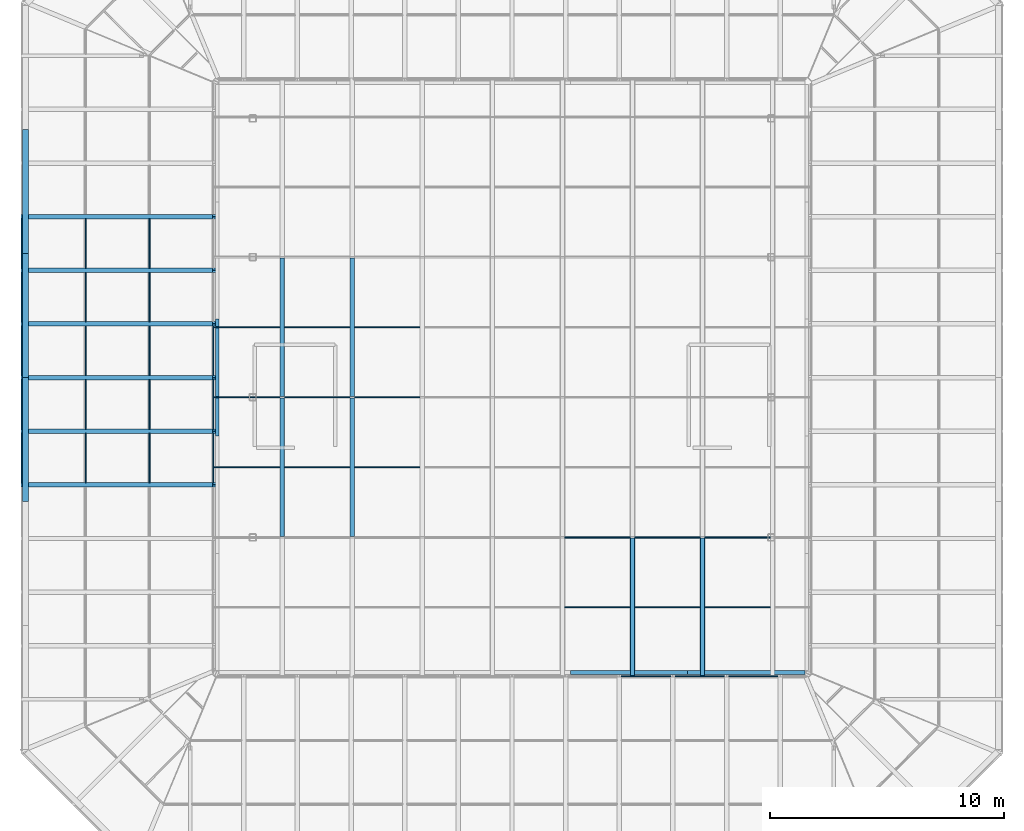
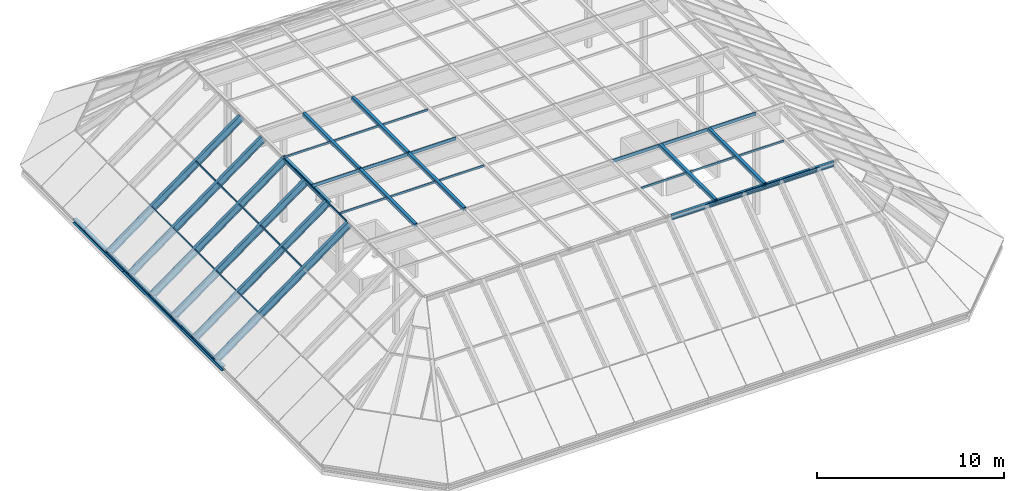
# One storey, part 4 of 15: 60 members, 3 elements without a shape of their own.
"""IFC4 building model written with IfcOpenShell, lengths in metres."""

from ifc_helpers import new_model, si_unit, direction, frame, origin, origin_2d, place, context, subcontext, project, spatial, rectangle, hollow_rectangle, i_section, extrude, material, constituent, constituent_set, material_profile, profile_set, type_object, element, aggregate, save


model = new_model("IFC4")

# Units and contexts
model_context = context("Model", 3, precision=1e-05, world=origin(), true_north=direction((0.0, 1.0)))
body_context = subcontext(model_context, "Body", "Model", "MODEL_VIEW")
ifc_project = project(units=[si_unit("LENGTHUNIT", "METRE"), si_unit("AREAUNIT", "SQUARE_METRE"), si_unit("VOLUMEUNIT", "CUBIC_METRE"), si_unit("PLANEANGLEUNIT", "RADIAN"), si_unit("MASSUNIT", "GRAM", prefix="KILO")], contexts=[model_context])

# Site, building, storey
site_placement = place(None, origin())
site = spatial("IfcSite", under=ifc_project, at=site_placement, CompositionType="ELEMENT")
building_placement = place(site_placement, origin())
building = spatial("IfcBuilding", under=site, at=building_placement, Name="Quoin Convention Tower", CompositionType="ELEMENT")
storey_placement = place(building_placement, frame((0.0, 0.0, 273.699951171875)))
storey = spatial("IfcBuildingStorey", under=building, at=storey_placement, Name="Roof", CompositionType="ELEMENT", Elevation=273.699951171875)

# Curtain wall, members
ifc_material_1 = material(Name="Aluminium", Category="aluminium")
ifc_constituent_1 = constituent(ifc_material_1, Name="Frame")
ifc_material_2 = material(Name="Insulated glass", Category="glass")
ifc_constituent_2 = constituent(ifc_material_2, Name="Glazing")
ifc_constituent_set = constituent_set(constituents=[ifc_constituent_1, ifc_constituent_2], Name="Aluminium")
curtain_wall_type = type_object("IfcCurtainWallType", Name="Lantern roof system", PredefinedType="NOTDEFINED", material=ifc_constituent_set)
curtain_wall_1_placement = place(storey_placement, origin())
curtain_wall_1 = element("IfcCurtainWall", 1, at=curtain_wall_1_placement, inside=storey, type_object=curtain_wall_type, Name="crn-LNR-CAP", PredefinedType="NOTDEFINED")
ifc_material_3 = material(Name="Steel C450L0", Category="steel")
ifc_material_profile_1 = material_profile(ifc_material_3, hollow_rectangle(XDim=0.199951171875, YDim=0.199951171875, WallThickness=0.010009765625, InnerFilletRadius=0.014892578125, OuterFilletRadius=0.02490234375, at=origin_2d()), Name="200x200x10.0SHS")
ifc_profile_set_1 = profile_set([ifc_material_profile_1], Name="Steel C450L0")
member_type_1 = type_object("IfcMemberType", Name="200x200x10.0SHS LANTERN CAP RAIL", PredefinedType="MULLION", material=ifc_profile_set_1)
member_1_placement = place(storey_placement, frame((46.409912109375, 53.93994140625, 6.495361328125), z_axis=(0.0, 1.0, 0.0), x_axis=(-1.0, 0.0, 0.0)))
member_1 = element("IfcMember", 2, at=member_1_placement, type_object=member_type_1, Name="CW6 cap rail", PredefinedType="MULLION", context=body_context, shape_type="SweptSolid", body=[
    extrude(hollow_rectangle(XDim=0.199951171875, YDim=0.199951171875, WallThickness=0.010009765625, InnerFilletRadius=0.014892578125, OuterFilletRadius=0.02490234375, at=origin_2d()), origin(), (0.0, 0.0, 1.0), 5.93994140625),
])
member_2_placement = place(storey_placement, frame((46.409912109375, 59.93994140625, 6.495361328125), z_axis=(0.0, 1.0, 0.0), x_axis=(-1.0, 0.0, 0.0)))
member_2 = element("IfcMember", 3, at=member_2_placement, type_object=member_type_1, Name="CW6 cap rail", PredefinedType="MULLION", context=body_context, shape_type="SweptSolid", body=[
    extrude(hollow_rectangle(XDim=0.199951171875, YDim=0.199951171875, WallThickness=0.010009765625, InnerFilletRadius=0.014892578125, OuterFilletRadius=0.02490234375, at=origin_2d()), origin(), (0.0, 0.0, 1.0), 5.93994140625),
])
member_3_placement = place(storey_placement, frame((49.409912109375, 53.93994140625, 6.495361328125), z_axis=(0.0, 1.0, 0.0), x_axis=(-1.0, 0.0, 0.0)))
member_3 = element("IfcMember", 4, at=member_3_placement, type_object=member_type_1, Name="CW6 cap rail", PredefinedType="MULLION", context=body_context, shape_type="SweptSolid", body=[
    extrude(hollow_rectangle(XDim=0.199951171875, YDim=0.199951171875, WallThickness=0.010009765625, InnerFilletRadius=0.014892578125, OuterFilletRadius=0.02490234375, at=origin_2d()), origin(), (0.0, 0.0, 1.0), 5.93994140625),
])
member_4_placement = place(storey_placement, frame((49.409912109375, 59.93994140625, 6.495361328125), z_axis=(0.0, 1.0, 0.0), x_axis=(-1.0, 0.0, 0.0)))
member_4 = element("IfcMember", 5, at=member_4_placement, type_object=member_type_1, Name="CW6 cap rail", PredefinedType="MULLION", context=body_context, shape_type="SweptSolid", body=[
    extrude(hollow_rectangle(XDim=0.199951171875, YDim=0.199951171875, WallThickness=0.010009765625, InnerFilletRadius=0.014892578125, OuterFilletRadius=0.02490234375, at=origin_2d()), origin(), (0.0, 0.0, 1.0), 5.93994140625),
])
member_5_placement = place(storey_placement, frame((61.409912109375, 47.926513671875, 6.495361328125), z_axis=(0.0, 1.0, 0.0), x_axis=(-1.0, 0.0, 0.0)))
member_5 = element("IfcMember", 6, at=member_5_placement, type_object=member_type_1, Name="CW6 cap rail", PredefinedType="MULLION", context=body_context, shape_type="SweptSolid", body=[
    extrude(hollow_rectangle(XDim=0.199951171875, YDim=0.199951171875, WallThickness=0.010009765625, InnerFilletRadius=0.014892578125, OuterFilletRadius=0.02490234375, at=origin_2d()), origin(), (0.0, 0.0, 1.0), 5.953369140625),
])
member_6_placement = place(storey_placement, frame((64.409912109375, 47.926513671875, 6.495361328125), z_axis=(0.0, 1.0, 0.0), x_axis=(-1.0, 0.0, 0.0)))
member_6 = element("IfcMember", 7, at=member_6_placement, type_object=member_type_1, Name="CW6 cap rail", PredefinedType="MULLION", context=body_context, shape_type="SweptSolid", body=[
    extrude(hollow_rectangle(XDim=0.199951171875, YDim=0.199951171875, WallThickness=0.010009765625, InnerFilletRadius=0.014892578125, OuterFilletRadius=0.02490234375, at=origin_2d()), origin(), (0.0, 0.0, 1.0), 5.953369140625),
])

# Members
ifc_material_4 = material(Name="Steel Grade 300", Category="steel")
ifc_material_profile_2 = material_profile(ifc_material_4, i_section(OverallWidth=0.256103515625, OverallDepth=0.260009765625, WebThickness=0.010498046875, FlangeThickness=0.017333984375, FilletRadius=0.013916015625, at=origin_2d()), Name="250UC89.5")
ifc_profile_set_2 = profile_set([ifc_material_profile_2], Name="Steel Grade 300")
member_type_2 = type_object("IfcMemberType", Name="250UC89.5 EAVES RING", PredefinedType="CHORD", material=ifc_profile_set_2)
for number, where, z_axis, x_axis, name in (
    (8, (35.427978515625, 71.37255859375, 0.130126953125), (0.0, -1.0, 0.0), (1.0, 0.0, 0.0), "LANTERN EAVES RING"),
    (9, (35.427978515625, 66.061279296875, 0.130126953125), (0.0, -1.0, 0.0), (1.0, 0.0, 0.0), "LANTERN EAVES RING"),
    (10, (35.427978515625, 60.75, 0.130126953125), (0.0, -1.0, 0.0), (1.0, 0.0, 0.0), "LANTERN EAVES RING"),
):
    element("IfcMember", number, at=place(storey_placement, frame(where, z_axis=z_axis, x_axis=x_axis)), inside=storey, type_object=member_type_2, Name=name, PredefinedType="CHORD", context=body_context, shape_type="SweptSolid", body=[
        extrude(i_section(OverallWidth=0.256103515625, OverallDepth=0.260009765625, WebThickness=0.010498046875, FlangeThickness=0.017333984375, FilletRadius=0.013916015625, at=origin_2d()), origin(), (0.0, 0.0, 1.0), 5.311279296875),
    ])
ifc_material_profile_3 = material_profile(ifc_material_4, i_section(OverallWidth=0.166015625, OverallDepth=0.306884765625, WebThickness=0.006591796875, FlangeThickness=0.01171875, FilletRadius=0.011474609375, at=origin_2d()), Name="310UB46.2")
ifc_profile_set_3 = profile_set([ifc_material_profile_3], Name="Steel Grade 300")
member_type_3 = type_object("IfcMemberType", Name="310UB46.2 COMPRESSION RING", PredefinedType="CHORD", material=ifc_profile_set_3)
member_7_placement = place(storey_placement, frame((43.626953125, 63.258056640625, 6.241943359375), z_axis=(0.0, -1.0, 0.0), x_axis=(1.0, 0.0, 0.0)))
element("IfcMember", 11, at=member_7_placement, inside=storey, type_object=member_type_3, Name="LANTERN COMPRESSION RING", PredefinedType="CHORD", context=body_context, shape_type="SweptSolid", body=[
    extrude(i_section(OverallWidth=0.166015625, OverallDepth=0.306884765625, WebThickness=0.006591796875, FlangeThickness=0.01171875, FilletRadius=0.011474609375, at=origin_2d()), origin(), (0.0, 0.0, 1.0), 5.01611328125),
])
member_8_placement = place(storey_placement, frame((58.758056640625, 48.126953125, 6.241943359375), z_axis=(1.0, 0.0, 0.0), x_axis=(0.0, 1.0, 0.0)))
element("IfcMember", 12, at=member_8_placement, inside=storey, type_object=member_type_3, Name="LANTERN COMPRESSION RING", PredefinedType="CHORD", context=body_context, shape_type="SweptSolid", body=[
    extrude(i_section(OverallWidth=0.166015625, OverallDepth=0.306884765625, WebThickness=0.006591796875, FlangeThickness=0.01171875, FilletRadius=0.011474609375, at=origin_2d()), origin(), (0.0, 0.0, 1.0), 5.015869140625),
])
member_9_placement = place(storey_placement, frame((63.77392578125, 48.126953125, 6.241943359375), z_axis=(1.0, 0.0, 0.0), x_axis=(0.0, 1.0, 0.0)))
element("IfcMember", 13, at=member_9_placement, inside=storey, type_object=member_type_3, Name="LANTERN COMPRESSION RING", PredefinedType="CHORD", context=body_context, shape_type="SweptSolid", body=[
    extrude(i_section(OverallWidth=0.166015625, OverallDepth=0.306884765625, WebThickness=0.006591796875, FlangeThickness=0.01171875, FilletRadius=0.011474609375, at=origin_2d()), origin(), (0.0, 0.0, 1.0), 5.01611328125),
])

# Curtain wall, members
curtain_wall_2_placement = place(storey_placement, origin())
curtain_wall_2 = element("IfcCurtainWall", 14, at=curtain_wall_2_placement, inside=storey, type_object=curtain_wall_type, Name="crn-LNR-F35210_76827", PredefinedType="NOTDEFINED")
ifc_material_profile_4 = material_profile(ifc_material_4, i_section(OverallWidth=0.18994140625, OverallDepth=0.4541015625, WebThickness=0.008544921875, FlangeThickness=0.0126953125, FilletRadius=0.011474609375, at=origin_2d()), Name="460UB67.1")
ifc_profile_set_4 = profile_set([ifc_material_profile_4], Name="Steel Grade 300")
member_type_4 = type_object("IfcMemberType", Name="460UB67.1 LANTERN RAFTER", PredefinedType="MULLION", material=ifc_profile_set_4)
member_10_placement = place(storey_placement, frame((35.360595703125, 67.64013671875, 0.26953125), z_axis=(0.807028649932, 0.0, 0.590512284537), x_axis=(0.0, 1.0, 0.0)))
member_10 = element("IfcMember", 15, at=member_10_placement, type_object=member_type_4, Name="CW6 steel rafter", PredefinedType="MULLION", context=body_context, shape_type="SweptSolid", body=[
    extrude(i_section(OverallWidth=0.18994140625, OverallDepth=0.4541015625, WebThickness=0.008544921875, FlangeThickness=0.0126953125, FilletRadius=0.011474609375, at=origin_2d()), origin(), (0.0, 0.0, 1.0), 10.16064453125),
])
member_11_placement = place(storey_placement, frame((35.360595703125, 65.343505859375, 0.26953125), z_axis=(0.807028649932, 0.0, 0.590512284537), x_axis=(0.0, 1.0, 0.0)))
member_11 = element("IfcMember", 16, at=member_11_placement, type_object=member_type_4, Name="CW6 steel rafter", PredefinedType="MULLION", context=body_context, shape_type="SweptSolid", body=[
    extrude(i_section(OverallWidth=0.18994140625, OverallDepth=0.4541015625, WebThickness=0.008544921875, FlangeThickness=0.0126953125, FilletRadius=0.011474609375, at=origin_2d()), origin(), (0.0, 0.0, 1.0), 10.16064453125),
])
member_12_placement = place(storey_placement, frame((35.360595703125, 63.046630859375, 0.26953125), z_axis=(0.807028649932, 0.0, 0.590512284537), x_axis=(0.0, 1.0, 0.0)))
member_12 = element("IfcMember", 17, at=member_12_placement, type_object=member_type_4, Name="CW6 steel rafter", PredefinedType="MULLION", context=body_context, shape_type="SweptSolid", body=[
    extrude(i_section(OverallWidth=0.18994140625, OverallDepth=0.4541015625, WebThickness=0.008544921875, FlangeThickness=0.0126953125, FilletRadius=0.011474609375, at=origin_2d()), origin(), (0.0, 0.0, 1.0), 10.16064453125),
])
member_13_placement = place(storey_placement, frame((35.360595703125, 60.75, 0.26953125), z_axis=(0.807028649932, 0.0, 0.590512284537), x_axis=(0.0, 1.0, 0.0)))
member_13 = element("IfcMember", 18, at=member_13_placement, type_object=member_type_4, Name="CW6 steel rafter", PredefinedType="MULLION", context=body_context, shape_type="SweptSolid", body=[
    extrude(i_section(OverallWidth=0.18994140625, OverallDepth=0.4541015625, WebThickness=0.008544921875, FlangeThickness=0.0126953125, FilletRadius=0.011474609375, at=origin_2d()), origin(), (0.0, 0.0, 1.0), 10.16064453125),
])
member_14_placement = place(storey_placement, frame((35.360595703125, 58.453369140625, 0.26953125), z_axis=(0.807028649932, 0.0, 0.590512284537), x_axis=(0.0, 1.0, 0.0)))
member_14 = element("IfcMember", 19, at=member_14_placement, type_object=member_type_4, Name="CW6 steel rafter", PredefinedType="MULLION", context=body_context, shape_type="SweptSolid", body=[
    extrude(i_section(OverallWidth=0.18994140625, OverallDepth=0.4541015625, WebThickness=0.008544921875, FlangeThickness=0.0126953125, FilletRadius=0.011474609375, at=origin_2d()), origin(), (0.0, 0.0, 1.0), 10.16064453125),
])
member_15_placement = place(storey_placement, frame((35.360595703125, 56.156494140625, 0.26953125), z_axis=(0.807028649932, 0.0, 0.590512284537), x_axis=(0.0, 1.0, 0.0)))
member_15 = element("IfcMember", 20, at=member_15_placement, type_object=member_type_4, Name="CW6 steel rafter", PredefinedType="MULLION", context=body_context, shape_type="SweptSolid", body=[
    extrude(i_section(OverallWidth=0.18994140625, OverallDepth=0.4541015625, WebThickness=0.008544921875, FlangeThickness=0.0126953125, FilletRadius=0.011474609375, at=origin_2d()), origin(), (0.0, 0.0, 1.0), 10.16064453125),
])

# Member
ifc_material_profile_5 = material_profile(ifc_material_1, rectangle(XDim=0.028076171875, YDim=0.179931640625, at=origin_2d()), Name="Lantern roof cap cover bar 180x28")
ifc_profile_set_5 = profile_set([ifc_material_profile_5], Name="Aluminium")
member_type_5 = type_object("IfcMemberType", Name="Lantern roof cap cover bar 180x28", PredefinedType="USERDEFINED", material=ifc_profile_set_5)
member_16_placement = place(storey_placement, frame((46.409912109375, 53.93994140625, 6.609375), z_axis=(0.0, 1.0, 0.0), x_axis=(0.0, 0.0, 1.0)))
member_16 = element("IfcMember", 21, at=member_16_placement, type_object=member_type_5, Name="CW6 cap cover bar", ObjectType="CAP COVER", PredefinedType="USERDEFINED", context=body_context, shape_type="SweptSolid", body=[
    extrude(rectangle(XDim=0.028076171875, YDim=0.179931640625, at=origin_2d()), origin(), (0.0, 0.0, 1.0), 5.93994140625),
])

member_17_placement = place(storey_placement, frame((46.409912109375, 59.93994140625, 6.609375), z_axis=(0.0, 1.0, 0.0), x_axis=(0.0, 0.0, 1.0)))
member_17 = element("IfcMember", 22, at=member_17_placement, type_object=member_type_5, Name="CW6 cap cover bar", ObjectType="CAP COVER", PredefinedType="USERDEFINED", context=body_context, shape_type="SweptSolid", body=[
    extrude(rectangle(XDim=0.028076171875, YDim=0.179931640625, at=origin_2d()), origin(), (0.0, 0.0, 1.0), 5.93994140625),
])

member_18_placement = place(storey_placement, frame((49.409912109375, 53.93994140625, 6.609375), z_axis=(0.0, 1.0, 0.0), x_axis=(0.0, 0.0, 1.0)))
member_18 = element("IfcMember", 23, at=member_18_placement, type_object=member_type_5, Name="CW6 cap cover bar", ObjectType="CAP COVER", PredefinedType="USERDEFINED", context=body_context, shape_type="SweptSolid", body=[
    extrude(rectangle(XDim=0.028076171875, YDim=0.179931640625, at=origin_2d()), origin(), (0.0, 0.0, 1.0), 5.93994140625),
])

member_19_placement = place(storey_placement, frame((49.409912109375, 59.93994140625, 6.609375), z_axis=(0.0, 1.0, 0.0), x_axis=(0.0, 0.0, 1.0)))
member_19 = element("IfcMember", 24, at=member_19_placement, type_object=member_type_5, Name="CW6 cap cover bar", ObjectType="CAP COVER", PredefinedType="USERDEFINED", context=body_context, shape_type="SweptSolid", body=[
    extrude(rectangle(XDim=0.028076171875, YDim=0.179931640625, at=origin_2d()), origin(), (0.0, 0.0, 1.0), 5.93994140625),
])

member_20_placement = place(storey_placement, frame((61.409912109375, 47.926513671875, 6.609375), z_axis=(0.0, 1.0, 0.0), x_axis=(0.0, 0.0, 1.0)))
member_20 = element("IfcMember", 25, at=member_20_placement, type_object=member_type_5, Name="CW6 cap cover bar", ObjectType="CAP COVER", PredefinedType="USERDEFINED", context=body_context, shape_type="SweptSolid", body=[
    extrude(rectangle(XDim=0.028076171875, YDim=0.179931640625, at=origin_2d()), origin(), (0.0, 0.0, 1.0), 5.953369140625),
])

member_21_placement = place(storey_placement, frame((64.409912109375, 47.926513671875, 6.609375), z_axis=(0.0, 1.0, 0.0), x_axis=(0.0, 0.0, 1.0)))
member_21 = element("IfcMember", 26, at=member_21_placement, type_object=member_type_5, Name="CW6 cap cover bar", ObjectType="CAP COVER", PredefinedType="USERDEFINED", context=body_context, shape_type="SweptSolid", body=[
    extrude(rectangle(XDim=0.028076171875, YDim=0.179931640625, at=origin_2d()), origin(), (0.0, 0.0, 1.0), 5.953369140625),
])

ifc_material_profile_6 = material_profile(ifc_material_1, rectangle(XDim=0.199951171875, YDim=0.06005859375, at=origin_2d()), Name="Lantern roof mullion 60x200")
ifc_profile_set_6 = profile_set([ifc_material_profile_6], Name="Aluminium")
member_type_6 = type_object("IfcMemberType", Name="Lantern roof mullion 60x200", PredefinedType="MULLION", material=ifc_profile_set_6)
member_22_placement = place(storey_placement, frame((58.510009765625, 53.909912109375, 6.495361328125), z_axis=(1.0, 0.0, 0.0), x_axis=(0.0, 0.0, 1.0)))
member_22 = element("IfcMember", 27, at=member_22_placement, type_object=member_type_6, Name="CW6 cap beam", PredefinedType="MULLION", context=body_context, shape_type="SweptSolid", body=[
    extrude(rectangle(XDim=0.199951171875, YDim=0.06005859375, at=origin_2d()), origin(), (0.0, 0.0, 1.0), 2.800048828125),
])

member_23_placement = place(storey_placement, frame((61.510009765625, 53.909912109375, 6.495361328125), z_axis=(1.0, 0.0, 0.0), x_axis=(0.0, 0.0, 1.0)))
member_23 = element("IfcMember", 28, at=member_23_placement, type_object=member_type_6, Name="CW6 cap beam", PredefinedType="MULLION", context=body_context, shape_type="SweptSolid", body=[
    extrude(rectangle(XDim=0.199951171875, YDim=0.06005859375, at=origin_2d()), origin(), (0.0, 0.0, 1.0), 2.800048828125),
])

member_24_placement = place(storey_placement, frame((64.510009765625, 53.909912109375, 6.495361328125), z_axis=(1.0, 0.0, 0.0), x_axis=(0.0, 0.0, 1.0)))
member_24 = element("IfcMember", 29, at=member_24_placement, type_object=member_type_6, Name="CW6 cap beam", PredefinedType="MULLION", context=body_context, shape_type="SweptSolid", body=[
    extrude(rectangle(XDim=0.199951171875, YDim=0.06005859375, at=origin_2d()), origin(), (0.0, 0.0, 1.0), 2.800048828125),
])

member_25_placement = place(storey_placement, frame((43.426513671875, 59.909912109375, 6.495361328125), z_axis=(1.0, 0.0, 0.0), x_axis=(0.0, 0.0, 1.0)))
member_25 = element("IfcMember", 30, at=member_25_placement, type_object=member_type_6, Name="CW6 cap beam", PredefinedType="MULLION", context=body_context, shape_type="SweptSolid", body=[
    extrude(rectangle(XDim=0.199951171875, YDim=0.06005859375, at=origin_2d()), origin(), (0.0, 0.0, 1.0), 2.883544921875),
])

member_26_placement = place(storey_placement, frame((46.510009765625, 59.909912109375, 6.495361328125), z_axis=(1.0, 0.0, 0.0), x_axis=(0.0, 0.0, 1.0)))
member_26 = element("IfcMember", 31, at=member_26_placement, type_object=member_type_6, Name="CW6 cap beam", PredefinedType="MULLION", context=body_context, shape_type="SweptSolid", body=[
    extrude(rectangle(XDim=0.199951171875, YDim=0.06005859375, at=origin_2d()), origin(), (0.0, 0.0, 1.0), 2.800048828125),
])

member_27_placement = place(storey_placement, frame((49.510009765625, 59.909912109375, 6.495361328125), z_axis=(1.0, 0.0, 0.0), x_axis=(0.0, 0.0, 1.0)))
member_27 = element("IfcMember", 32, at=member_27_placement, type_object=member_type_6, Name="CW6 cap beam", PredefinedType="MULLION", context=body_context, shape_type="SweptSolid", body=[
    extrude(rectangle(XDim=0.199951171875, YDim=0.06005859375, at=origin_2d()), origin(), (0.0, 0.0, 1.0), 2.800048828125),
])

ifc_material_profile_7 = material_profile(ifc_material_1, rectangle(XDim=0.1201171875, YDim=0.050048828125, at=origin_2d()), Name="Lantern roof transom 50x120")
ifc_profile_set_7 = profile_set([ifc_material_profile_7], Name="Aluminium")
member_type_7 = type_object("IfcMemberType", Name="Lantern roof transom 50x120", PredefinedType="USERDEFINED", material=ifc_profile_set_7)
member_28_placement = place(storey_placement, frame((35.261962890625, 67.545166015625, 0.404541015625), z_axis=(0.0, -1.0, 0.0), x_axis=(0.0, 0.0, 1.0)))
member_28 = element("IfcMember", 33, at=member_28_placement, type_object=member_type_7, Name="CW6 transom", ObjectType="TRANSOM", PredefinedType="USERDEFINED", context=body_context, shape_type="SweptSolid", body=[
    extrude(rectangle(XDim=0.1201171875, YDim=0.050048828125, at=origin_2d()), origin(), (0.0, 0.0, 1.0), 2.106689453125),
])

member_29_placement = place(storey_placement, frame((35.261962890625, 65.24853515625, 0.404541015625), z_axis=(0.0, -1.0, 0.0), x_axis=(0.0, 0.0, 1.0)))
member_29 = element("IfcMember", 34, at=member_29_placement, type_object=member_type_7, Name="CW6 transom", ObjectType="TRANSOM", PredefinedType="USERDEFINED", context=body_context, shape_type="SweptSolid", body=[
    extrude(rectangle(XDim=0.1201171875, YDim=0.050048828125, at=origin_2d()), origin(), (0.0, 0.0, 1.0), 2.10693359375),
])

member_30_placement = place(storey_placement, frame((35.261962890625, 62.95166015625, 0.404541015625), z_axis=(0.0, -1.0, 0.0), x_axis=(0.0, 0.0, 1.0)))
member_30 = element("IfcMember", 35, at=member_30_placement, type_object=member_type_7, Name="CW6 transom", ObjectType="TRANSOM", PredefinedType="USERDEFINED", context=body_context, shape_type="SweptSolid", body=[
    extrude(rectangle(XDim=0.1201171875, YDim=0.050048828125, at=origin_2d()), origin(), (0.0, 0.0, 1.0), 2.106689453125),
])

member_31_placement = place(storey_placement, frame((35.261962890625, 60.655029296875, 0.404541015625), z_axis=(0.0, -1.0, 0.0), x_axis=(0.0, 0.0, 1.0)))
member_31 = element("IfcMember", 36, at=member_31_placement, type_object=member_type_7, Name="CW6 transom", ObjectType="TRANSOM", PredefinedType="USERDEFINED", context=body_context, shape_type="SweptSolid", body=[
    extrude(rectangle(XDim=0.1201171875, YDim=0.050048828125, at=origin_2d()), origin(), (0.0, 0.0, 1.0), 2.106689453125),
])

member_32_placement = place(storey_placement, frame((35.261962890625, 58.3583984375, 0.404541015625), z_axis=(0.0, -1.0, 0.0), x_axis=(0.0, 0.0, 1.0)))
member_32 = element("IfcMember", 37, at=member_32_placement, type_object=member_type_7, Name="CW6 transom", ObjectType="TRANSOM", PredefinedType="USERDEFINED", context=body_context, shape_type="SweptSolid", body=[
    extrude(rectangle(XDim=0.1201171875, YDim=0.050048828125, at=origin_2d()), origin(), (0.0, 0.0, 1.0), 2.10693359375),
])

member_33_placement = place(storey_placement, frame((37.995361328125, 67.545166015625, 2.404541015625), z_axis=(0.0, -1.0, 0.0), x_axis=(0.0, 0.0, 1.0)))
member_33 = element("IfcMember", 38, at=member_33_placement, type_object=member_type_7, Name="CW6 transom", ObjectType="TRANSOM", PredefinedType="USERDEFINED", context=body_context, shape_type="SweptSolid", body=[
    extrude(rectangle(XDim=0.1201171875, YDim=0.050048828125, at=origin_2d()), origin(), (0.0, 0.0, 1.0), 2.106689453125),
])

member_34_placement = place(storey_placement, frame((37.995361328125, 65.24853515625, 2.404541015625), z_axis=(0.0, -1.0, 0.0), x_axis=(0.0, 0.0, 1.0)))
member_34 = element("IfcMember", 39, at=member_34_placement, type_object=member_type_7, Name="CW6 transom", ObjectType="TRANSOM", PredefinedType="USERDEFINED", context=body_context, shape_type="SweptSolid", body=[
    extrude(rectangle(XDim=0.1201171875, YDim=0.050048828125, at=origin_2d()), origin(), (0.0, 0.0, 1.0), 2.10693359375),
])

member_35_placement = place(storey_placement, frame((37.995361328125, 62.95166015625, 2.404541015625), z_axis=(0.0, -1.0, 0.0), x_axis=(0.0, 0.0, 1.0)))
member_35 = element("IfcMember", 40, at=member_35_placement, type_object=member_type_7, Name="CW6 transom", ObjectType="TRANSOM", PredefinedType="USERDEFINED", context=body_context, shape_type="SweptSolid", body=[
    extrude(rectangle(XDim=0.1201171875, YDim=0.050048828125, at=origin_2d()), origin(), (0.0, 0.0, 1.0), 2.106689453125),
])

member_36_placement = place(storey_placement, frame((37.995361328125, 60.655029296875, 2.404541015625), z_axis=(0.0, -1.0, 0.0), x_axis=(0.0, 0.0, 1.0)))
member_36 = element("IfcMember", 41, at=member_36_placement, type_object=member_type_7, Name="CW6 transom", ObjectType="TRANSOM", PredefinedType="USERDEFINED", context=body_context, shape_type="SweptSolid", body=[
    extrude(rectangle(XDim=0.1201171875, YDim=0.050048828125, at=origin_2d()), origin(), (0.0, 0.0, 1.0), 2.106689453125),
])

member_37_placement = place(storey_placement, frame((37.995361328125, 58.3583984375, 2.404541015625), z_axis=(0.0, -1.0, 0.0), x_axis=(0.0, 0.0, 1.0)))
member_37 = element("IfcMember", 42, at=member_37_placement, type_object=member_type_7, Name="CW6 transom", ObjectType="TRANSOM", PredefinedType="USERDEFINED", context=body_context, shape_type="SweptSolid", body=[
    extrude(rectangle(XDim=0.1201171875, YDim=0.050048828125, at=origin_2d()), origin(), (0.0, 0.0, 1.0), 2.10693359375),
])

member_38_placement = place(storey_placement, frame((40.728515625, 67.545166015625, 4.404541015625), z_axis=(0.0, -1.0, 0.0), x_axis=(0.0, 0.0, 1.0)))
member_38 = element("IfcMember", 43, at=member_38_placement, type_object=member_type_7, Name="CW6 transom", ObjectType="TRANSOM", PredefinedType="USERDEFINED", context=body_context, shape_type="SweptSolid", body=[
    extrude(rectangle(XDim=0.1201171875, YDim=0.050048828125, at=origin_2d()), origin(), (0.0, 0.0, 1.0), 2.106689453125),
])

member_39_placement = place(storey_placement, frame((40.728515625, 65.24853515625, 4.404541015625), z_axis=(0.0, -1.0, 0.0), x_axis=(0.0, 0.0, 1.0)))
member_39 = element("IfcMember", 44, at=member_39_placement, type_object=member_type_7, Name="CW6 transom", ObjectType="TRANSOM", PredefinedType="USERDEFINED", context=body_context, shape_type="SweptSolid", body=[
    extrude(rectangle(XDim=0.1201171875, YDim=0.050048828125, at=origin_2d()), origin(), (0.0, 0.0, 1.0), 2.10693359375),
])

member_40_placement = place(storey_placement, frame((40.728515625, 62.95166015625, 4.404541015625), z_axis=(0.0, -1.0, 0.0), x_axis=(0.0, 0.0, 1.0)))
member_40 = element("IfcMember", 45, at=member_40_placement, type_object=member_type_7, Name="CW6 transom", ObjectType="TRANSOM", PredefinedType="USERDEFINED", context=body_context, shape_type="SweptSolid", body=[
    extrude(rectangle(XDim=0.1201171875, YDim=0.050048828125, at=origin_2d()), origin(), (0.0, 0.0, 1.0), 2.106689453125),
])

member_41_placement = place(storey_placement, frame((40.728515625, 60.655029296875, 4.404541015625), z_axis=(0.0, -1.0, 0.0), x_axis=(0.0, 0.0, 1.0)))
member_41 = element("IfcMember", 46, at=member_41_placement, type_object=member_type_7, Name="CW6 transom", ObjectType="TRANSOM", PredefinedType="USERDEFINED", context=body_context, shape_type="SweptSolid", body=[
    extrude(rectangle(XDim=0.1201171875, YDim=0.050048828125, at=origin_2d()), origin(), (0.0, 0.0, 1.0), 2.106689453125),
])

member_42_placement = place(storey_placement, frame((40.728515625, 58.3583984375, 4.404541015625), z_axis=(0.0, -1.0, 0.0), x_axis=(0.0, 0.0, 1.0)))
member_42 = element("IfcMember", 47, at=member_42_placement, type_object=member_type_7, Name="CW6 transom", ObjectType="TRANSOM", PredefinedType="USERDEFINED", context=body_context, shape_type="SweptSolid", body=[
    extrude(rectangle(XDim=0.1201171875, YDim=0.050048828125, at=origin_2d()), origin(), (0.0, 0.0, 1.0), 2.10693359375),
])

member_43_placement = place(storey_placement, frame((43.4619140625, 62.95166015625, 6.404541015625), z_axis=(0.0, -1.0, 0.0), x_axis=(0.0, 0.0, 1.0)))
member_43 = element("IfcMember", 48, at=member_43_placement, type_object=member_type_7, Name="CW6 transom", ObjectType="TRANSOM", PredefinedType="USERDEFINED", context=body_context, shape_type="SweptSolid", body=[
    extrude(rectangle(XDim=0.1201171875, YDim=0.050048828125, at=origin_2d()), origin(), (0.0, 0.0, 1.0), 2.106689453125),
])

member_44_placement = place(storey_placement, frame((43.4619140625, 60.655029296875, 6.404541015625), z_axis=(0.0, -1.0, 0.0), x_axis=(0.0, 0.0, 1.0)))
member_44 = element("IfcMember", 49, at=member_44_placement, type_object=member_type_7, Name="CW6 transom", ObjectType="TRANSOM", PredefinedType="USERDEFINED", context=body_context, shape_type="SweptSolid", body=[
    extrude(rectangle(XDim=0.1201171875, YDim=0.050048828125, at=origin_2d()), origin(), (0.0, 0.0, 1.0), 2.106689453125),
])

member_45_placement = place(storey_placement, frame((43.4619140625, 58.3583984375, 6.404541015625), z_axis=(0.0, -1.0, 0.0), x_axis=(0.0, 0.0, 1.0)))
member_45 = element("IfcMember", 50, at=member_45_placement, type_object=member_type_7, Name="CW6 transom", ObjectType="TRANSOM", PredefinedType="USERDEFINED", context=body_context, shape_type="SweptSolid", body=[
    extrude(rectangle(XDim=0.1201171875, YDim=0.050048828125, at=origin_2d()), origin(), (0.0, 0.0, 1.0), 2.10693359375),
])

aggregate(curtain_wall_2, [member_10, member_11, member_12, member_13, member_14, member_15, member_28, member_29, member_30, member_31, member_32, member_33, member_34, member_35, member_36, member_37, member_38, member_39, member_40, member_41, member_42, member_43, member_44, member_45])

# Curtain wall, members
curtain_wall_3_placement = place(storey_placement, origin())
curtain_wall_3 = element("IfcCurtainWall", 51, at=curtain_wall_3_placement, inside=storey, type_object=curtain_wall_type, Name="crn-LNR-F40173_39710", PredefinedType="NOTDEFINED")
member_46_placement = place(storey_placement, frame((60.9384765625, 47.9619140625, 6.404541015625), z_axis=(1.0, 0.0, 0.0), x_axis=(0.0, 0.0, 1.0)))
member_46 = element("IfcMember", 52, at=member_46_placement, type_object=member_type_7, Name="CW6 transom", ObjectType="TRANSOM", PredefinedType="USERDEFINED", context=body_context, shape_type="SweptSolid", body=[
    extrude(rectangle(XDim=0.1201171875, YDim=0.050048828125, at=origin_2d()), origin(), (0.0, 0.0, 1.0), 2.106689453125),
])
member_47_placement = place(storey_placement, frame((63.235107421875, 47.9619140625, 6.404541015625), z_axis=(1.0, 0.0, 0.0), x_axis=(0.0, 0.0, 1.0)))
member_47 = element("IfcMember", 53, at=member_47_placement, type_object=member_type_7, Name="CW6 transom", ObjectType="TRANSOM", PredefinedType="USERDEFINED", context=body_context, shape_type="SweptSolid", body=[
    extrude(rectangle(XDim=0.1201171875, YDim=0.050048828125, at=origin_2d()), origin(), (0.0, 0.0, 1.0), 2.10693359375),
])
member_48_placement = place(storey_placement, frame((65.531982421875, 47.9619140625, 6.404541015625), z_axis=(1.0, 0.0, 0.0), x_axis=(0.0, 0.0, 1.0)))
member_48 = element("IfcMember", 54, at=member_48_placement, type_object=member_type_7, Name="CW6 transom", ObjectType="TRANSOM", PredefinedType="USERDEFINED", context=body_context, shape_type="SweptSolid", body=[
    extrude(rectangle(XDim=0.1201171875, YDim=0.050048828125, at=origin_2d()), origin(), (0.0, 0.0, 1.0), 2.106689453125),
])
aggregate(curtain_wall_3, [member_46, member_47, member_48])

# Member
member_49_placement = place(storey_placement, frame((58.510009765625, 50.909912109375, 6.535400390625), z_axis=(1.0, 0.0, 0.0), x_axis=(0.0, 0.0, 1.0)))
member_49 = element("IfcMember", 55, at=member_49_placement, type_object=member_type_7, Name="CW6 cap transom", ObjectType="TRANSOM", PredefinedType="USERDEFINED", context=body_context, shape_type="SweptSolid", body=[
    extrude(rectangle(XDim=0.1201171875, YDim=0.050048828125, at=origin_2d()), origin(), (0.0, 0.0, 1.0), 2.800048828125),
])

member_50_placement = place(storey_placement, frame((61.510009765625, 50.909912109375, 6.535400390625), z_axis=(1.0, 0.0, 0.0), x_axis=(0.0, 0.0, 1.0)))
member_50 = element("IfcMember", 56, at=member_50_placement, type_object=member_type_7, Name="CW6 cap transom", ObjectType="TRANSOM", PredefinedType="USERDEFINED", context=body_context, shape_type="SweptSolid", body=[
    extrude(rectangle(XDim=0.1201171875, YDim=0.050048828125, at=origin_2d()), origin(), (0.0, 0.0, 1.0), 2.800048828125),
])

member_51_placement = place(storey_placement, frame((64.510009765625, 50.909912109375, 6.535400390625), z_axis=(1.0, 0.0, 0.0), x_axis=(0.0, 0.0, 1.0)))
member_51 = element("IfcMember", 57, at=member_51_placement, type_object=member_type_7, Name="CW6 cap transom", ObjectType="TRANSOM", PredefinedType="USERDEFINED", context=body_context, shape_type="SweptSolid", body=[
    extrude(rectangle(XDim=0.1201171875, YDim=0.050048828125, at=origin_2d()), origin(), (0.0, 0.0, 1.0), 2.800048828125),
])

member_52_placement = place(storey_placement, frame((43.426513671875, 56.909912109375, 6.535400390625), z_axis=(1.0, 0.0, 0.0), x_axis=(0.0, 0.0, 1.0)))
member_52 = element("IfcMember", 58, at=member_52_placement, type_object=member_type_7, Name="CW6 cap transom", ObjectType="TRANSOM", PredefinedType="USERDEFINED", context=body_context, shape_type="SweptSolid", body=[
    extrude(rectangle(XDim=0.1201171875, YDim=0.050048828125, at=origin_2d()), origin(), (0.0, 0.0, 1.0), 2.883544921875),
])

member_53_placement = place(storey_placement, frame((46.510009765625, 56.909912109375, 6.535400390625), z_axis=(1.0, 0.0, 0.0), x_axis=(0.0, 0.0, 1.0)))
member_53 = element("IfcMember", 59, at=member_53_placement, type_object=member_type_7, Name="CW6 cap transom", ObjectType="TRANSOM", PredefinedType="USERDEFINED", context=body_context, shape_type="SweptSolid", body=[
    extrude(rectangle(XDim=0.1201171875, YDim=0.050048828125, at=origin_2d()), origin(), (0.0, 0.0, 1.0), 2.800048828125),
])

member_54_placement = place(storey_placement, frame((49.510009765625, 56.909912109375, 6.535400390625), z_axis=(1.0, 0.0, 0.0), x_axis=(0.0, 0.0, 1.0)))
member_54 = element("IfcMember", 60, at=member_54_placement, type_object=member_type_7, Name="CW6 cap transom", ObjectType="TRANSOM", PredefinedType="USERDEFINED", context=body_context, shape_type="SweptSolid", body=[
    extrude(rectangle(XDim=0.1201171875, YDim=0.050048828125, at=origin_2d()), origin(), (0.0, 0.0, 1.0), 2.800048828125),
])

member_55_placement = place(storey_placement, frame((43.426513671875, 62.909912109375, 6.535400390625), z_axis=(1.0, 0.0, 0.0), x_axis=(0.0, 0.0, 1.0)))
member_55 = element("IfcMember", 61, at=member_55_placement, type_object=member_type_7, Name="CW6 cap transom", ObjectType="TRANSOM", PredefinedType="USERDEFINED", context=body_context, shape_type="SweptSolid", body=[
    extrude(rectangle(XDim=0.1201171875, YDim=0.050048828125, at=origin_2d()), origin(), (0.0, 0.0, 1.0), 2.883544921875),
])

member_56_placement = place(storey_placement, frame((46.510009765625, 62.909912109375, 6.535400390625), z_axis=(1.0, 0.0, 0.0), x_axis=(0.0, 0.0, 1.0)))
member_56 = element("IfcMember", 62, at=member_56_placement, type_object=member_type_7, Name="CW6 cap transom", ObjectType="TRANSOM", PredefinedType="USERDEFINED", context=body_context, shape_type="SweptSolid", body=[
    extrude(rectangle(XDim=0.1201171875, YDim=0.050048828125, at=origin_2d()), origin(), (0.0, 0.0, 1.0), 2.800048828125),
])

member_57_placement = place(storey_placement, frame((49.510009765625, 62.909912109375, 6.535400390625), z_axis=(1.0, 0.0, 0.0), x_axis=(0.0, 0.0, 1.0)))
member_57 = element("IfcMember", 63, at=member_57_placement, type_object=member_type_7, Name="CW6 cap transom", ObjectType="TRANSOM", PredefinedType="USERDEFINED", context=body_context, shape_type="SweptSolid", body=[
    extrude(rectangle(XDim=0.1201171875, YDim=0.050048828125, at=origin_2d()), origin(), (0.0, 0.0, 1.0), 2.800048828125),
])

aggregate(curtain_wall_1, [member_49, member_50, member_51, member_22, member_23, member_24, member_52, member_53, member_54, member_25, member_26, member_27, member_55, member_56, member_57, member_1, member_2, member_3, member_4, member_5, member_6, member_16, member_17, member_18, member_19, member_20, member_21])

save(model, "model.ifc")
